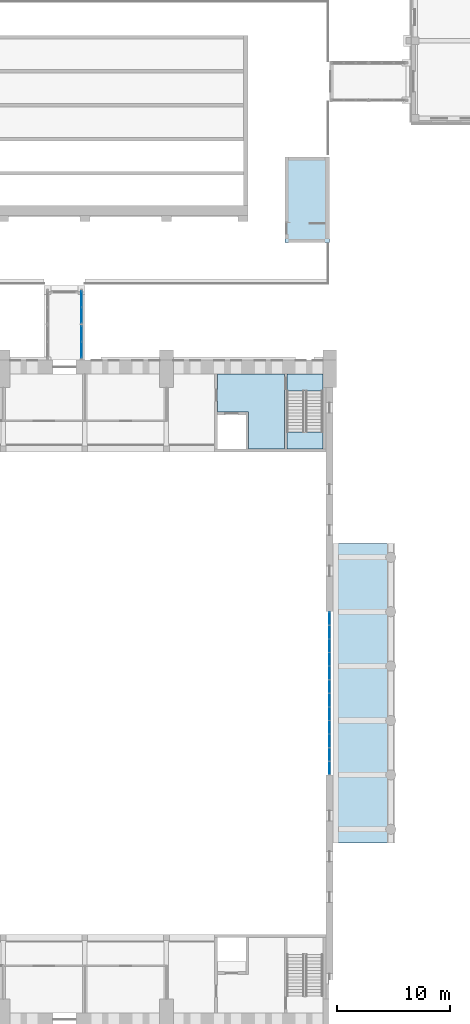
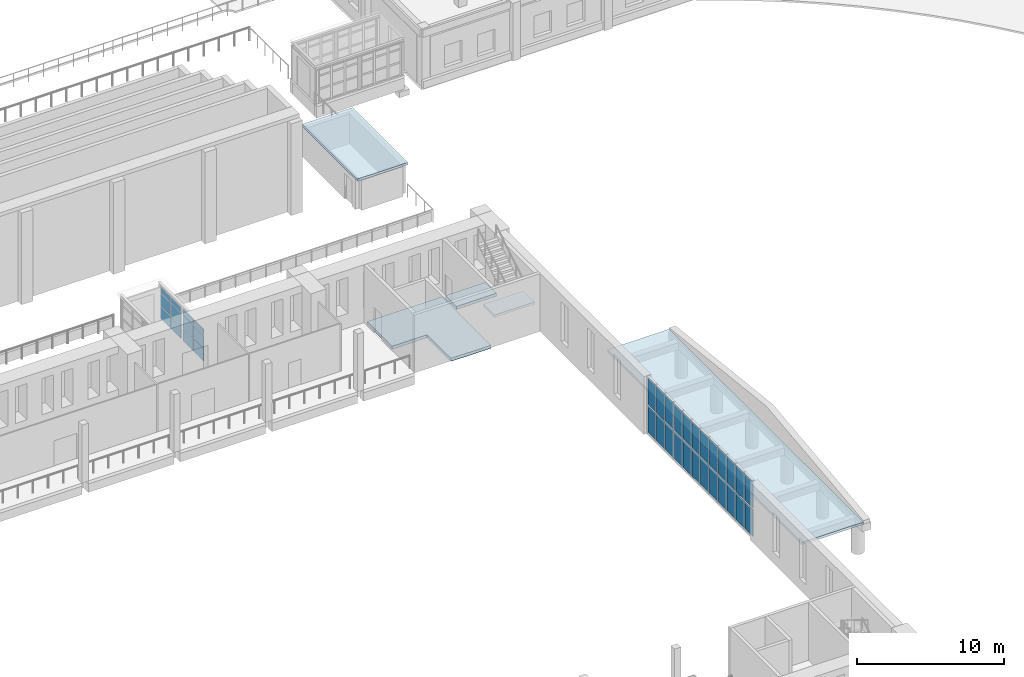
# One storey, part 70 of 131: 36 plates, 5 slabs, 4 elements without a shape of their own.
"""IFC4 building model written with IfcOpenShell, lengths in metres."""

import ifcopenshell
import ifcopenshell.guid

model = None  # the IFC model being written
_history = None  # IfcOwnerHistory: only IFC2X3 demands one
_inside = {}  # id of a spatial element -> (the spatial element, [elements in it])
_under = {}  # id of a project, library or spatial element -> (it, [spatial elements below it])
_declared = {}  # id of a project -> (the project, [libraries it declares])
_typed = {}  # id of a type object -> (the type object, [elements of that type])
_made_of = {}  # id of a material, layer set ... -> (it, [elements and type objects made of it])


def new_model(schema):
    """Start an empty IFC model of exactly this schema.

    Asked for "IFC4X3", IfcOpenShell would pick the latest addendum, in which some entities
    have other attributes; the version numbers below select the first issue.
    IFC2X3 requires an IfcOwnerHistory on every rooted entity: one is made here for all.
    """
    global model, _history
    if schema == "IFC4X3":
        model = ifcopenshell.file(schema_version=(4, 3, 0, 0))
    else:
        model = ifcopenshell.file(schema=schema)
    _inside.clear()
    _under.clear()
    _declared.clear()
    _typed.clear()
    _made_of.clear()
    _history = None
    if model.schema == "IFC2X3":
        org = make("IfcOrganization", Name="unknown")
        user = make(
            "IfcPersonAndOrganization",
            ThePerson=make("IfcPerson", FamilyName="unknown"),
            TheOrganization=org,
        )
        app = make(
            "IfcApplication",
            ApplicationDeveloper=org,
            Version="unknown",
            ApplicationFullName="unknown",
            ApplicationIdentifier="unknown",
        )
        _history = make(
            "IfcOwnerHistory",
            OwningUser=user,
            OwningApplication=app,
            ChangeAction="ADDED",
            CreationDate=0,
        )
    return model


def make(cls, **values):
    """One entity of the class cls with the attributes given. An attribute that is None is left unset."""
    return model.create_entity(
        cls, **{name: value for name, value in values.items() if value is not None}
    )


def rooted(cls, **values):
    """An entity with a GlobalId (a new one), such as an element, a storey or a relation."""
    return make(cls, GlobalId=ifcopenshell.guid.new(), OwnerHistory=_history, **values)


def si_unit(unit_type, name, prefix=None):
    """IfcSIUnit, for example si_unit("LENGTHUNIT", "METRE", prefix="MILLI")."""
    return make("IfcSIUnit", UnitType=unit_type, Prefix=prefix, Name=name)


def assignment(units):
    """IfcUnitAssignment: the units of a project."""
    return None if units is None else make("IfcUnitAssignment", Units=units)


def point(xyz):
    """IfcCartesianPoint."""
    return None if xyz is None else make("IfcCartesianPoint", Coordinates=xyz)


def direction(xyz):
    """IfcDirection."""
    return None if xyz is None else make("IfcDirection", DirectionRatios=xyz)


def frame(location, z_axis=None, x_axis=None):
    """IfcAxis2Placement3D, a coordinate frame: its origin and axes. An axis left out is left unset."""
    return make(
        "IfcAxis2Placement3D",
        Location=point(location),
        Axis=direction(z_axis),
        RefDirection=direction(x_axis),
    )


def frame_2d(location, x_axis=None):
    """IfcAxis2Placement2D, a coordinate frame in the plane: its origin and x axis."""
    return make(
        "IfcAxis2Placement2D", Location=point(location), RefDirection=direction(x_axis)
    )


def origin():
    """The frame at (0, 0, 0) with its axes left unset."""
    return frame((0.0, 0.0, 0.0))


def origin_2d():
    """The frame at (0, 0) in the plane with its x axis left unset."""
    return frame_2d((0.0, 0.0))


def place(relative_to, where):
    """IfcLocalPlacement: puts the frame where relative to a parent placement (None: the world)."""
    return make(
        "IfcLocalPlacement", PlacementRelTo=relative_to, RelativePlacement=where
    )


def context(
    kind, dimensions, precision=None, world=None, true_north=None, identifier=None
):
    """IfcGeometricRepresentationContext, for example the 3D "Model" context."""
    return make(
        "IfcGeometricRepresentationContext",
        ContextIdentifier=identifier,
        ContextType=kind,
        CoordinateSpaceDimension=dimensions,
        Precision=precision,
        WorldCoordinateSystem=world,
        TrueNorth=true_north,
    )


def subcontext(parent, identifier, kind, view, scale=None):
    """IfcGeometricRepresentationSubContext, for example "Body" below "Model"."""
    return make(
        "IfcGeometricRepresentationSubContext",
        ContextIdentifier=identifier,
        ContextType=kind,
        ParentContext=parent,
        TargetScale=scale,
        TargetView=view,
    )


def project(units=None, contexts=None):
    """IfcProject with its units and contexts."""
    return rooted(
        "IfcProject",
        Name="project",
        RepresentationContexts=contexts,
        UnitsInContext=assignment(units),
    )


def spatial(cls, under=None, at=None, **own):
    """A site, building, storey or space (cls), placed at a placement, below another one or the project."""
    s = rooted(cls, ObjectPlacement=at, **own)
    if under is not None:
        _under.setdefault(under.id(), (under, []))[1].append(s)
    return s


def polyline(points):
    """IfcPolyline through the points."""
    return make("IfcPolyline", Points=[point(p) for p in points])


def profile(cls, at=None, kind="AREA", **sizes):
    """A parametric profile (cls). Its sizes go by their IFC names, for example OverallWidth=200.0."""
    return make(cls, ProfileType=kind, Position=at, **sizes)


def rectangle(**sizes):
    """IfcRectangleProfileDef."""
    return profile("IfcRectangleProfileDef", **sizes)


def outline(outer, holes=None, kind="AREA"):
    """IfcArbitraryClosedProfileDef: a profile drawn as a closed curve; with holes, ...WithVoids."""
    if holes is None:
        return make("IfcArbitraryClosedProfileDef", ProfileType=kind, OuterCurve=outer)
    return make(
        "IfcArbitraryProfileDefWithVoids",
        ProfileType=kind,
        OuterCurve=outer,
        InnerCurves=holes,
    )


def extrude(swept, where, along, depth):
    """IfcExtrudedAreaSolid: the profile swept, set in the frame where, extruded along a direction by depth."""
    return make(
        "IfcExtrudedAreaSolid",
        SweptArea=swept,
        Position=where,
        ExtrudedDirection=direction(along),
        Depth=depth,
    )


def shape(context_of_items, identifier, shape_type, items):
    """IfcShapeRepresentation: the items that make up one representation, for example the "Body"."""
    return make(
        "IfcShapeRepresentation",
        ContextOfItems=context_of_items,
        RepresentationIdentifier=identifier,
        RepresentationType=shape_type,
        Items=items,
    )


def material(Name=None, Category=None):
    """IfcMaterial."""
    return make("IfcMaterial", Name=Name, Category=Category)


def layer(
    of_material, thickness, ventilated=None, Name=None, Category=None, Priority=None
):
    """IfcMaterialLayer: one layer of a wall or slab, of a material (None: an air gap)."""
    return make(
        "IfcMaterialLayer",
        Material=of_material,
        LayerThickness=thickness,
        IsVentilated=ventilated,
        Name=Name,
        Category=Category,
        Priority=Priority,
    )


def layer_set(layers, Name=None):
    """IfcMaterialLayerSet."""
    return make("IfcMaterialLayerSet", MaterialLayers=layers, LayerSetName=Name)


def made_of(thing, what):
    """Note that an element or type object is made of a material, layer set ...; save() writes the relation."""
    if what is not None:
        _made_of.setdefault(what.id(), (what, []))[1].append(thing)
    return thing


def type_object(cls, material=None, **own):
    """A type object (cls), such as IfcWallType, which elements share."""
    return made_of(rooted(cls, **own), material)


def element(
    cls,
    number,
    at=None,
    inside=None,
    cuts=None,
    type_object=None,
    material=None,
    context=None,
    identifier="Body",
    shape_type=None,
    held_by="IfcProductDefinitionShape",
    body=None,
    shapes=None,
    **own,
):
    """One element of the class cls, such as IfcWall. Its Tag is "e" and its number.

    at: its placement. inside: the storey or other place that contains it. cuts: it is an
    opening in that element (IfcRelVoidsElement). A single representation is given by context,
    identifier, shape_type and body (its items); several are given by shapes. held_by: the class
    of the entity that holds the representations. save() writes the other relations.
    """
    e = rooted(cls, Tag="e%d" % number, ObjectPlacement=at, **own)
    if body is not None:
        shapes = [shape(context, identifier, shape_type, body)]
    if shapes is not None:
        e.Representation = make(held_by, Representations=shapes)
    if inside is not None:
        _inside.setdefault(inside.id(), (inside, []))[1].append(e)
    if cuts is not None:
        rooted(
            "IfcRelVoidsElement", RelatingBuildingElement=cuts, RelatedOpeningElement=e
        )
    if type_object is not None:
        _typed.setdefault(type_object.id(), (type_object, []))[1].append(e)
    return made_of(e, material)


def aggregate(whole, parts):
    """IfcRelAggregates: a whole, such as a stair, and the parts it consists of."""
    return rooted("IfcRelAggregates", RelatingObject=whole, RelatedObjects=parts)


def save(model, path):
    """Write the relations noted so far, then the file.

    IfcRelAggregates (storeys below a building ...), IfcRelContainedInSpatialStructure (elements
    in a storey), IfcRelDefinesByType, IfcRelAssociatesMaterial and IfcRelDeclares: one each for
    every whole, place, type object, material and project.
    """
    for whole, parts in _under.values():
        aggregate(whole, parts)
    for where, things in _inside.values():
        rooted(
            "IfcRelContainedInSpatialStructure",
            RelatedElements=things,
            RelatingStructure=where,
        )
    for kind, things in _typed.values():
        rooted("IfcRelDefinesByType", RelatedObjects=things, RelatingType=kind)
    for what, things in _made_of.values():
        rooted("IfcRelAssociatesMaterial", RelatedObjects=things, RelatingMaterial=what)
    for by, libraries in _declared.values():
        rooted("IfcRelDeclares", RelatingContext=by, RelatedDefinitions=libraries)
    model.write(path)


model = new_model("IFC4")

# Units and contexts
model_context = context("Model", 3, precision=1e-05, world=origin(), true_north=direction((0.0, 1.0)))
body_context = subcontext(model_context, "Body", "Model", "MODEL_VIEW")
ifc_project = project(units=[si_unit("LENGTHUNIT", "METRE"), si_unit("AREAUNIT", "SQUARE_METRE"), si_unit("VOLUMEUNIT", "CUBIC_METRE"), si_unit("PLANEANGLEUNIT", "RADIAN"), si_unit("MASSUNIT", "GRAM", prefix="KILO")], contexts=[model_context])

# Site, building, storey
site_placement = place(None, origin())
site = spatial("IfcSite", under=ifc_project, at=site_placement, CompositionType="ELEMENT")
building_placement = place(site_placement, origin())
building = spatial("IfcBuilding", under=site, at=building_placement, Name="Alderwick Market Hall", CompositionType="ELEMENT")
storey_placement = place(building_placement, frame((0.0, 0.0, 4.800048828125)))
storey = spatial("IfcBuildingStorey", under=building, at=storey_placement, Name="L00", CompositionType="ELEMENT", Elevation=4.800048828125)

# Slabs
ifc_material_1 = material(Name="Concrete 4000 psi (f'c 28 MPa)", Category="concrete")
ifc_layer_1 = layer(ifc_material_1, 0.199951171875)
ifc_layer_set_1 = layer_set([ifc_layer_1], Name="Concrete 4000 psi (f'c 28 MPa)")
slab_type_1 = type_object("IfcSlabType", Name="A Head-house Roof Slab 200", PredefinedType="ROOF", material=ifc_layer_set_1)
slab_1_placement = place(storey_placement, frame((0.0, 0.0, 2.5)))
element("IfcSlab", 1, at=slab_1_placement, inside=storey, type_object=slab_type_1, Name="A.N.hh.E.roof", PredefinedType="ROOF", context=body_context, shape_type="SweptSolid", body=[
    extrude(outline(polyline([(147.25, 119.0), (151.199951171875, 119.0), (151.199951171875, 126.52001953125), (147.25, 126.52001953125), (147.25, 119.0)])), origin(), (0.0, 0.0, 1.0), 0.199951171875),
])
ifc_layer_2 = layer(ifc_material_1, 0.25)
ifc_layer_set_2 = layer_set([ifc_layer_2], Name="Concrete 4000 psi (f'c 28 MPa)")
slab_type_2 = type_object("IfcSlabType", Name="H Gallery slab 250", PredefinedType="FLOOR", material=ifc_layer_set_2)
slab_2_placement = place(storey_placement, frame((0.0, 0.0, -0.25)))
element("IfcSlab", 2, at=slab_2_placement, inside=storey, type_object=slab_type_2, Name="Core floor H-NE L00", PredefinedType="FLOOR", context=body_context, shape_type="SweptSolid", body=[
    extrude(outline(polyline([(144.050048828125, 104.010009765625), (141.300048828125, 104.010009765625), (141.300048828125, 107.39990234375), (147.199951171875, 107.39990234375), (147.199951171875, 100.760009765625), (144.050048828125, 100.760009765625), (144.050048828125, 104.010009765625)])), origin(), (0.0, 0.0, 1.0), 0.25),
])
slab_3_placement = place(storey_placement, frame((0.0, 0.0, -0.25)))
element("IfcSlab", 3, at=slab_3_placement, inside=storey, type_object=slab_type_2, Name="Core floor H-NE L00", PredefinedType="FLOOR", context=body_context, shape_type="SweptSolid", body=[
    extrude(outline(polyline([(150.60009765625, 105.89990234375), (147.449951171875, 105.89990234375), (147.449951171875, 107.39990234375), (150.60009765625, 107.39990234375), (150.60009765625, 105.89990234375)])), origin(), (0.0, 0.0, 1.0), 0.25),
])

# Stair, slab
ifc_material_2 = material(Name="Concrete 5000 psi (f'c 35 MPa)", Category="concrete")
stair_type = type_object("IfcStairType", Name="H Stair 1500", PredefinedType="HALF_TURN_STAIR", material=ifc_material_2)
stair_placement = place(storey_placement, origin())
stair = element("IfcStair", 4, at=stair_placement, inside=storey, type_object=stair_type, Name="L00 Exit stair H-NE", PredefinedType="HALF_TURN_STAIR")
ifc_layer_3 = layer(ifc_material_1, 0.199951171875)
ifc_layer_set_3 = layer_set([ifc_layer_3], Name="Concrete 4000 psi (f'c 28 MPa)")
slab_type_3 = type_object("IfcSlabType", Name="H Stair landing 200", PredefinedType="LANDING", material=ifc_layer_set_3)
slab_4_placement = place(storey_placement, frame((0.0, 0.0, 2.199951171875)))
slab_4 = element("IfcSlab", 5, at=slab_4_placement, type_object=slab_type_3, Name="H-NE landing 1", PredefinedType="LANDING", context=body_context, shape_type="SweptSolid", body=[
    extrude(outline(polyline([(147.449951171875, 102.260009765625), (147.449951171875, 100.760009765625), (150.60009765625, 100.760009765625), (150.60009765625, 102.260009765625), (147.449951171875, 102.260009765625)])), origin(), (0.0, 0.0, 1.0), 0.199951171875),
])
aggregate(stair, [slab_4])

# Curtain wall, plates
ifc_material_3 = material(Name="Aluminium frame", Category="aluminium")
ifc_layer_4 = layer(ifc_material_3, 0.10009765625)
ifc_layer_set_4 = layer_set([ifc_layer_4], Name="Aluminium frame")
curtain_wall_type_1 = type_object("IfcCurtainWallType", Name="P Curtain Wall 100", PredefinedType="NOTDEFINED", material=ifc_layer_set_4)
curtain_wall_1_placement = place(storey_placement, origin())
curtain_wall_1 = element("IfcCurtainWall", 6, at=curtain_wall_1_placement, inside=storey, type_object=curtain_wall_type_1, Name="P.P2.cw.b0", PredefinedType="NOTDEFINED")
ifc_material_4 = material(Name="Glass, low-e insulated glazing", Category="glass")
ifc_layer_5 = layer(ifc_material_4, 0.028076171875)
ifc_layer_set_5 = layer_set([ifc_layer_5], Name="Glass, low-e insulated glazing")
plate_type_1 = type_object("IfcPlateType", Name="P Glass Panel 28", PredefinedType="CURTAIN_PANEL", material=ifc_layer_set_5)
plate_1_placement = place(storey_placement, frame((129.300048828125, 109.515380859375, 0.06005859375), z_axis=(0.0, 0.0, 1.0), x_axis=(0.0, 1.0, 0.0)))
plate_1 = element("IfcPlate", 7, at=plate_1_placement, type_object=plate_type_1, Name="P-CW2b0 panel 1.1", PredefinedType="CURTAIN_PANEL", context=body_context, shape_type="SweptSolid", body=[
    extrude(rectangle(XDim=1.35888671875, YDim=0.028076171875, at=origin_2d()), origin(), (0.0, 0.0, 1.0), 1.010009765625),
])
plate_2_placement = place(storey_placement, frame((129.300048828125, 109.515380859375, 1.1298828125), z_axis=(0.0, 0.0, 1.0), x_axis=(0.0, 1.0, 0.0)))
plate_2 = element("IfcPlate", 8, at=plate_2_placement, type_object=plate_type_1, Name="P-CW2b0 panel 1.2", PredefinedType="CURTAIN_PANEL", context=body_context, shape_type="SweptSolid", body=[
    extrude(rectangle(XDim=1.35888671875, YDim=0.028076171875, at=origin_2d()), origin(), (0.0, 0.0, 1.0), 1.0400390625),
])
plate_3_placement = place(storey_placement, frame((129.300048828125, 109.515380859375, 2.22998046875), z_axis=(0.0, 0.0, 1.0), x_axis=(0.0, 1.0, 0.0)))
plate_3 = element("IfcPlate", 9, at=plate_3_placement, type_object=plate_type_1, Name="P-CW2b0 panel 1.3", PredefinedType="CURTAIN_PANEL", context=body_context, shape_type="SweptSolid", body=[
    extrude(rectangle(XDim=1.35888671875, YDim=0.028076171875, at=origin_2d()), origin(), (0.0, 0.0, 1.0), 0.462890625),
])
plate_4_placement = place(storey_placement, frame((129.300048828125, 110.9345703125, 0.06005859375), z_axis=(0.0, 0.0, 1.0), x_axis=(0.0, 1.0, 0.0)))
plate_4 = element("IfcPlate", 10, at=plate_4_placement, type_object=plate_type_1, Name="P-CW2b0 panel 2.1", PredefinedType="CURTAIN_PANEL", context=body_context, shape_type="SweptSolid", body=[
    extrude(rectangle(XDim=1.35888671875, YDim=0.028076171875, at=origin_2d()), origin(), (0.0, 0.0, 1.0), 1.010009765625),
])
plate_5_placement = place(storey_placement, frame((129.300048828125, 110.9345703125, 1.1298828125), z_axis=(0.0, 0.0, 1.0), x_axis=(0.0, 1.0, 0.0)))
plate_5 = element("IfcPlate", 11, at=plate_5_placement, type_object=plate_type_1, Name="P-CW2b0 panel 2.2", PredefinedType="CURTAIN_PANEL", context=body_context, shape_type="SweptSolid", body=[
    extrude(rectangle(XDim=1.35888671875, YDim=0.028076171875, at=origin_2d()), origin(), (0.0, 0.0, 1.0), 1.0400390625),
])
plate_6_placement = place(storey_placement, frame((129.300048828125, 110.9345703125, 2.22998046875), z_axis=(0.0, 0.0, 1.0), x_axis=(0.0, 1.0, 0.0)))
plate_6 = element("IfcPlate", 12, at=plate_6_placement, type_object=plate_type_1, Name="P-CW2b0 panel 2.3", PredefinedType="CURTAIN_PANEL", context=body_context, shape_type="SweptSolid", body=[
    extrude(rectangle(XDim=1.35888671875, YDim=0.028076171875, at=origin_2d()), origin(), (0.0, 0.0, 1.0), 0.462890625),
])
aggregate(curtain_wall_1, [plate_1, plate_2, plate_3, plate_4, plate_5, plate_6])

curtain_wall_2_placement = place(storey_placement, origin())
curtain_wall_2 = element("IfcCurtainWall", 13, at=curtain_wall_2_placement, inside=storey, type_object=curtain_wall_type_1, Name="P.P2.cw.b1", PredefinedType="NOTDEFINED")
plate_7_placement = place(storey_placement, frame((129.300048828125, 112.5654296875, 0.06005859375), z_axis=(0.0, 0.0, 1.0), x_axis=(0.0, 1.0, 0.0)))
plate_7 = element("IfcPlate", 14, at=plate_7_placement, type_object=plate_type_1, Name="P-CW2b1 panel 1.1", PredefinedType="CURTAIN_PANEL", context=body_context, shape_type="SweptSolid", body=[
    extrude(rectangle(XDim=1.35888671875, YDim=0.028076171875, at=origin_2d()), origin(), (0.0, 0.0, 1.0), 1.010009765625),
])
plate_8_placement = place(storey_placement, frame((129.300048828125, 112.5654296875, 1.1298828125), z_axis=(0.0, 0.0, 1.0), x_axis=(0.0, 1.0, 0.0)))
plate_8 = element("IfcPlate", 15, at=plate_8_placement, type_object=plate_type_1, Name="P-CW2b1 panel 1.2", PredefinedType="CURTAIN_PANEL", context=body_context, shape_type="SweptSolid", body=[
    extrude(rectangle(XDim=1.35888671875, YDim=0.028076171875, at=origin_2d()), origin(), (0.0, 0.0, 1.0), 1.0400390625),
])
plate_9_placement = place(storey_placement, frame((129.300048828125, 112.5654296875, 2.22998046875), z_axis=(0.0, 0.0, 1.0), x_axis=(0.0, 1.0, 0.0)))
plate_9 = element("IfcPlate", 16, at=plate_9_placement, type_object=plate_type_1, Name="P-CW2b1 panel 1.3", PredefinedType="CURTAIN_PANEL", context=body_context, shape_type="SweptSolid", body=[
    extrude(rectangle(XDim=1.35888671875, YDim=0.028076171875, at=origin_2d()), origin(), (0.0, 0.0, 1.0), 0.462890625),
])
plate_10_placement = place(storey_placement, frame((129.300048828125, 113.984619140625, 0.06005859375), z_axis=(0.0, 0.0, 1.0), x_axis=(0.0, 1.0, 0.0)))
plate_10 = element("IfcPlate", 17, at=plate_10_placement, type_object=plate_type_1, Name="P-CW2b1 panel 2.1", PredefinedType="CURTAIN_PANEL", context=body_context, shape_type="SweptSolid", body=[
    extrude(rectangle(XDim=1.35888671875, YDim=0.028076171875, at=origin_2d()), origin(), (0.0, 0.0, 1.0), 1.010009765625),
])
plate_11_placement = place(storey_placement, frame((129.300048828125, 113.984619140625, 1.1298828125), z_axis=(0.0, 0.0, 1.0), x_axis=(0.0, 1.0, 0.0)))
plate_11 = element("IfcPlate", 18, at=plate_11_placement, type_object=plate_type_1, Name="P-CW2b1 panel 2.2", PredefinedType="CURTAIN_PANEL", context=body_context, shape_type="SweptSolid", body=[
    extrude(rectangle(XDim=1.35888671875, YDim=0.028076171875, at=origin_2d()), origin(), (0.0, 0.0, 1.0), 1.0400390625),
])
plate_12_placement = place(storey_placement, frame((129.300048828125, 113.984619140625, 2.22998046875), z_axis=(0.0, 0.0, 1.0), x_axis=(0.0, 1.0, 0.0)))
plate_12 = element("IfcPlate", 19, at=plate_12_placement, type_object=plate_type_1, Name="P-CW2b1 panel 2.3", PredefinedType="CURTAIN_PANEL", context=body_context, shape_type="SweptSolid", body=[
    extrude(rectangle(XDim=1.35888671875, YDim=0.028076171875, at=origin_2d()), origin(), (0.0, 0.0, 1.0), 0.462890625),
])
aggregate(curtain_wall_2, [plate_7, plate_8, plate_9, plate_10, plate_11, plate_12])

ifc_material_5 = material(Name="Aluminium", Category="aluminium")
curtain_wall_type_2 = type_object("IfcCurtainWallType", Name="R Curtain Wall Frame", PredefinedType="NOTDEFINED", material=ifc_material_5)
curtain_wall_3_placement = place(storey_placement, origin())
curtain_wall_3 = element("IfcCurtainWall", 20, at=curtain_wall_3_placement, inside=storey, type_object=curtain_wall_type_2, Name="Curtain wall GCW1", PredefinedType="NOTDEFINED")
ifc_material_6 = material(Name="Glass 8+8 mm PVB interlayer", Category="glass")
ifc_layer_6 = layer(ifc_material_6, 0.028076171875)
ifc_layer_set_6 = layer_set([ifc_layer_6], Name="Glass 8+8 mm PVB interlayer")
plate_type_2 = type_object("IfcPlateType", Name="R CW Panel IGU 28", PredefinedType="CURTAIN_PANEL", material=ifc_layer_set_6)
plate_13_placement = place(storey_placement, frame((151.199951171875, 72.614990234375, 0.1201171875), z_axis=(0.0, 0.0, 1.0), x_axis=(1.0, 0.0, 0.0)))
plate_13 = element("IfcPlate", 21, at=plate_13_placement, type_object=plate_type_2, Name="GCW1 panel 1.1", PredefinedType="CURTAIN_PANEL", context=body_context, shape_type="SweptSolid", body=[
    extrude(rectangle(XDim=0.028076171875, YDim=1.110107421875, at=origin_2d()), origin(), (0.0, 0.0, 1.0), 2.219970703125),
])
plate_14_placement = place(storey_placement, frame((151.199951171875, 72.614990234375, 2.4599609375), z_axis=(0.0, 0.0, 1.0), x_axis=(1.0, 0.0, 0.0)))
plate_14 = element("IfcPlate", 22, at=plate_14_placement, type_object=plate_type_2, Name="GCW1 panel 1.2", PredefinedType="CURTAIN_PANEL", context=body_context, shape_type="SweptSolid", body=[
    extrude(rectangle(XDim=0.028076171875, YDim=1.110107421875, at=origin_2d()), origin(), (0.0, 0.0, 1.0), 2.219970703125),
])
plate_15_placement = place(storey_placement, frame((151.199951171875, 73.800048828125, 0.1201171875), z_axis=(0.0, 0.0, 1.0), x_axis=(1.0, 0.0, 0.0)))
plate_15 = element("IfcPlate", 23, at=plate_15_placement, type_object=plate_type_2, Name="GCW1 panel 2.1", PredefinedType="CURTAIN_PANEL", context=body_context, shape_type="SweptSolid", body=[
    extrude(rectangle(XDim=0.028076171875, YDim=1.139892578125, at=origin_2d()), origin(), (0.0, 0.0, 1.0), 2.219970703125),
])
plate_16_placement = place(storey_placement, frame((151.199951171875, 73.800048828125, 2.4599609375), z_axis=(0.0, 0.0, 1.0), x_axis=(1.0, 0.0, 0.0)))
plate_16 = element("IfcPlate", 24, at=plate_16_placement, type_object=plate_type_2, Name="GCW1 panel 2.2", PredefinedType="CURTAIN_PANEL", context=body_context, shape_type="SweptSolid", body=[
    extrude(rectangle(XDim=0.028076171875, YDim=1.139892578125, at=origin_2d()), origin(), (0.0, 0.0, 1.0), 2.219970703125),
])
plate_17_placement = place(storey_placement, frame((151.199951171875, 75.0, 0.1201171875), z_axis=(0.0, 0.0, 1.0), x_axis=(1.0, 0.0, 0.0)))
plate_17 = element("IfcPlate", 25, at=plate_17_placement, type_object=plate_type_2, Name="GCW1 panel 3.1", PredefinedType="CURTAIN_PANEL", context=body_context, shape_type="SweptSolid", body=[
    extrude(rectangle(XDim=0.028076171875, YDim=1.139892578125, at=origin_2d()), origin(), (0.0, 0.0, 1.0), 2.219970703125),
])
plate_18_placement = place(storey_placement, frame((151.199951171875, 75.0, 2.4599609375), z_axis=(0.0, 0.0, 1.0), x_axis=(1.0, 0.0, 0.0)))
plate_18 = element("IfcPlate", 26, at=plate_18_placement, type_object=plate_type_2, Name="GCW1 panel 3.2", PredefinedType="CURTAIN_PANEL", context=body_context, shape_type="SweptSolid", body=[
    extrude(rectangle(XDim=0.028076171875, YDim=1.139892578125, at=origin_2d()), origin(), (0.0, 0.0, 1.0), 2.219970703125),
])
plate_19_placement = place(storey_placement, frame((151.199951171875, 76.199951171875, 0.1201171875), z_axis=(0.0, 0.0, 1.0), x_axis=(1.0, 0.0, 0.0)))
plate_19 = element("IfcPlate", 27, at=plate_19_placement, type_object=plate_type_2, Name="GCW1 panel 4.1", PredefinedType="CURTAIN_PANEL", context=body_context, shape_type="SweptSolid", body=[
    extrude(rectangle(XDim=0.028076171875, YDim=1.139892578125, at=origin_2d()), origin(), (0.0, 0.0, 1.0), 2.219970703125),
])
plate_20_placement = place(storey_placement, frame((151.199951171875, 76.199951171875, 2.4599609375), z_axis=(0.0, 0.0, 1.0), x_axis=(1.0, 0.0, 0.0)))
plate_20 = element("IfcPlate", 28, at=plate_20_placement, type_object=plate_type_2, Name="GCW1 panel 4.2", PredefinedType="CURTAIN_PANEL", context=body_context, shape_type="SweptSolid", body=[
    extrude(rectangle(XDim=0.028076171875, YDim=1.139892578125, at=origin_2d()), origin(), (0.0, 0.0, 1.0), 2.219970703125),
])
plate_21_placement = place(storey_placement, frame((151.199951171875, 77.39990234375, 0.1201171875), z_axis=(0.0, 0.0, 1.0), x_axis=(1.0, 0.0, 0.0)))
plate_21 = element("IfcPlate", 29, at=plate_21_placement, type_object=plate_type_2, Name="GCW1 panel 5.1", PredefinedType="CURTAIN_PANEL", context=body_context, shape_type="SweptSolid", body=[
    extrude(rectangle(XDim=0.028076171875, YDim=1.139892578125, at=origin_2d()), origin(), (0.0, 0.0, 1.0), 2.219970703125),
])
plate_22_placement = place(storey_placement, frame((151.199951171875, 77.39990234375, 2.4599609375), z_axis=(0.0, 0.0, 1.0), x_axis=(1.0, 0.0, 0.0)))
plate_22 = element("IfcPlate", 30, at=plate_22_placement, type_object=plate_type_2, Name="GCW1 panel 5.2", PredefinedType="CURTAIN_PANEL", context=body_context, shape_type="SweptSolid", body=[
    extrude(rectangle(XDim=0.028076171875, YDim=1.139892578125, at=origin_2d()), origin(), (0.0, 0.0, 1.0), 2.219970703125),
])
plate_23_placement = place(storey_placement, frame((151.199951171875, 78.60009765625, 0.1201171875), z_axis=(0.0, 0.0, 1.0), x_axis=(1.0, 0.0, 0.0)))
plate_23 = element("IfcPlate", 31, at=plate_23_placement, type_object=plate_type_2, Name="GCW1 panel 6.1", PredefinedType="CURTAIN_PANEL", context=body_context, shape_type="SweptSolid", body=[
    extrude(rectangle(XDim=0.028076171875, YDim=1.139892578125, at=origin_2d()), origin(), (0.0, 0.0, 1.0), 2.219970703125),
])
plate_24_placement = place(storey_placement, frame((151.199951171875, 78.60009765625, 2.4599609375), z_axis=(0.0, 0.0, 1.0), x_axis=(1.0, 0.0, 0.0)))
plate_24 = element("IfcPlate", 32, at=plate_24_placement, type_object=plate_type_2, Name="GCW1 panel 6.2", PredefinedType="CURTAIN_PANEL", context=body_context, shape_type="SweptSolid", body=[
    extrude(rectangle(XDim=0.028076171875, YDim=1.139892578125, at=origin_2d()), origin(), (0.0, 0.0, 1.0), 2.219970703125),
])
plate_25_placement = place(storey_placement, frame((151.199951171875, 79.800048828125, 0.1201171875), z_axis=(0.0, 0.0, 1.0), x_axis=(1.0, 0.0, 0.0)))
plate_25 = element("IfcPlate", 33, at=plate_25_placement, type_object=plate_type_2, Name="GCW1 panel 7.1", PredefinedType="CURTAIN_PANEL", context=body_context, shape_type="SweptSolid", body=[
    extrude(rectangle(XDim=0.028076171875, YDim=1.139892578125, at=origin_2d()), origin(), (0.0, 0.0, 1.0), 2.219970703125),
])
plate_26_placement = place(storey_placement, frame((151.199951171875, 79.800048828125, 2.4599609375), z_axis=(0.0, 0.0, 1.0), x_axis=(1.0, 0.0, 0.0)))
plate_26 = element("IfcPlate", 34, at=plate_26_placement, type_object=plate_type_2, Name="GCW1 panel 7.2", PredefinedType="CURTAIN_PANEL", context=body_context, shape_type="SweptSolid", body=[
    extrude(rectangle(XDim=0.028076171875, YDim=1.139892578125, at=origin_2d()), origin(), (0.0, 0.0, 1.0), 2.219970703125),
])
plate_27_placement = place(storey_placement, frame((151.199951171875, 81.0, 0.1201171875), z_axis=(0.0, 0.0, 1.0), x_axis=(1.0, 0.0, 0.0)))
plate_27 = element("IfcPlate", 35, at=plate_27_placement, type_object=plate_type_2, Name="GCW1 panel 8.1", PredefinedType="CURTAIN_PANEL", context=body_context, shape_type="SweptSolid", body=[
    extrude(rectangle(XDim=0.028076171875, YDim=1.139892578125, at=origin_2d()), origin(), (0.0, 0.0, 1.0), 2.219970703125),
])
plate_28_placement = place(storey_placement, frame((151.199951171875, 81.0, 2.4599609375), z_axis=(0.0, 0.0, 1.0), x_axis=(1.0, 0.0, 0.0)))
plate_28 = element("IfcPlate", 36, at=plate_28_placement, type_object=plate_type_2, Name="GCW1 panel 8.2", PredefinedType="CURTAIN_PANEL", context=body_context, shape_type="SweptSolid", body=[
    extrude(rectangle(XDim=0.028076171875, YDim=1.139892578125, at=origin_2d()), origin(), (0.0, 0.0, 1.0), 2.219970703125),
])
plate_29_placement = place(storey_placement, frame((151.199951171875, 82.199951171875, 0.1201171875), z_axis=(0.0, 0.0, 1.0), x_axis=(1.0, 0.0, 0.0)))
plate_29 = element("IfcPlate", 37, at=plate_29_placement, type_object=plate_type_2, Name="GCW1 panel 9.1", PredefinedType="CURTAIN_PANEL", context=body_context, shape_type="SweptSolid", body=[
    extrude(rectangle(XDim=0.028076171875, YDim=1.139892578125, at=origin_2d()), origin(), (0.0, 0.0, 1.0), 2.219970703125),
])
plate_30_placement = place(storey_placement, frame((151.199951171875, 82.199951171875, 2.4599609375), z_axis=(0.0, 0.0, 1.0), x_axis=(1.0, 0.0, 0.0)))
plate_30 = element("IfcPlate", 38, at=plate_30_placement, type_object=plate_type_2, Name="GCW1 panel 9.2", PredefinedType="CURTAIN_PANEL", context=body_context, shape_type="SweptSolid", body=[
    extrude(rectangle(XDim=0.028076171875, YDim=1.139892578125, at=origin_2d()), origin(), (0.0, 0.0, 1.0), 2.219970703125),
])
plate_31_placement = place(storey_placement, frame((151.199951171875, 83.39990234375, 0.1201171875), z_axis=(0.0, 0.0, 1.0), x_axis=(1.0, 0.0, 0.0)))
plate_31 = element("IfcPlate", 39, at=plate_31_placement, type_object=plate_type_2, Name="GCW1 panel 10.1", PredefinedType="CURTAIN_PANEL", context=body_context, shape_type="SweptSolid", body=[
    extrude(rectangle(XDim=0.028076171875, YDim=1.139892578125, at=origin_2d()), origin(), (0.0, 0.0, 1.0), 2.219970703125),
])
plate_32_placement = place(storey_placement, frame((151.199951171875, 83.39990234375, 2.4599609375), z_axis=(0.0, 0.0, 1.0), x_axis=(1.0, 0.0, 0.0)))
plate_32 = element("IfcPlate", 40, at=plate_32_placement, type_object=plate_type_2, Name="GCW1 panel 10.2", PredefinedType="CURTAIN_PANEL", context=body_context, shape_type="SweptSolid", body=[
    extrude(rectangle(XDim=0.028076171875, YDim=1.139892578125, at=origin_2d()), origin(), (0.0, 0.0, 1.0), 2.219970703125),
])
plate_33_placement = place(storey_placement, frame((151.199951171875, 84.60009765625, 0.1201171875), z_axis=(0.0, 0.0, 1.0), x_axis=(1.0, 0.0, 0.0)))
plate_33 = element("IfcPlate", 41, at=plate_33_placement, type_object=plate_type_2, Name="GCW1 panel 11.1", PredefinedType="CURTAIN_PANEL", context=body_context, shape_type="SweptSolid", body=[
    extrude(rectangle(XDim=0.028076171875, YDim=1.139892578125, at=origin_2d()), origin(), (0.0, 0.0, 1.0), 2.219970703125),
])
plate_34_placement = place(storey_placement, frame((151.199951171875, 84.60009765625, 2.4599609375), z_axis=(0.0, 0.0, 1.0), x_axis=(1.0, 0.0, 0.0)))
plate_34 = element("IfcPlate", 42, at=plate_34_placement, type_object=plate_type_2, Name="GCW1 panel 11.2", PredefinedType="CURTAIN_PANEL", context=body_context, shape_type="SweptSolid", body=[
    extrude(rectangle(XDim=0.028076171875, YDim=1.139892578125, at=origin_2d()), origin(), (0.0, 0.0, 1.0), 2.219970703125),
])
plate_35_placement = place(storey_placement, frame((151.199951171875, 85.784912109375, 0.1201171875), z_axis=(0.0, 0.0, 1.0), x_axis=(1.0, 0.0, 0.0)))
plate_35 = element("IfcPlate", 43, at=plate_35_placement, type_object=plate_type_2, Name="GCW1 panel 12.1", PredefinedType="CURTAIN_PANEL", context=body_context, shape_type="SweptSolid", body=[
    extrude(rectangle(XDim=0.028076171875, YDim=1.110107421875, at=origin_2d()), origin(), (0.0, 0.0, 1.0), 2.219970703125),
])
plate_36_placement = place(storey_placement, frame((151.199951171875, 85.784912109375, 2.4599609375), z_axis=(0.0, 0.0, 1.0), x_axis=(1.0, 0.0, 0.0)))
plate_36 = element("IfcPlate", 44, at=plate_36_placement, type_object=plate_type_2, Name="GCW1 panel 12.2", PredefinedType="CURTAIN_PANEL", context=body_context, shape_type="SweptSolid", body=[
    extrude(rectangle(XDim=0.028076171875, YDim=1.110107421875, at=origin_2d()), origin(), (0.0, 0.0, 1.0), 2.219970703125),
])
aggregate(curtain_wall_3, [plate_13, plate_14, plate_15, plate_16, plate_17, plate_18, plate_19, plate_20, plate_21, plate_22, plate_23, plate_24, plate_25, plate_26, plate_27, plate_28, plate_29, plate_30, plate_31, plate_32, plate_33, plate_34, plate_35, plate_36])

# Slab
ifc_layer_7 = layer(ifc_material_2, 0.199951171875)
ifc_layer_set_7 = layer_set([ifc_layer_7], Name="Concrete 5000 psi (f'c 35 MPa)")
slab_type_4 = type_object("IfcSlabType", Name="R Portico Roof Slab 200", PredefinedType="ROOF", material=ifc_layer_set_7)
slab_5_placement = place(storey_placement, frame((0.0, 0.0, 3.0)))
element("IfcSlab", 45, at=slab_5_placement, inside=storey, type_object=slab_type_4, Name="Portico roof slab", PredefinedType="ROOF", context=body_context, shape_type="SweptSolid", body=[
    extrude(outline(polyline([(151.5, 66.0), (156.35009765625, 66.0), (156.35009765625, 92.39990234375), (151.5, 92.39990234375), (151.5, 66.0)])), origin(), (0.0, 0.0, 1.0), 0.199951171875),
])

save(model, "model.ifc")
